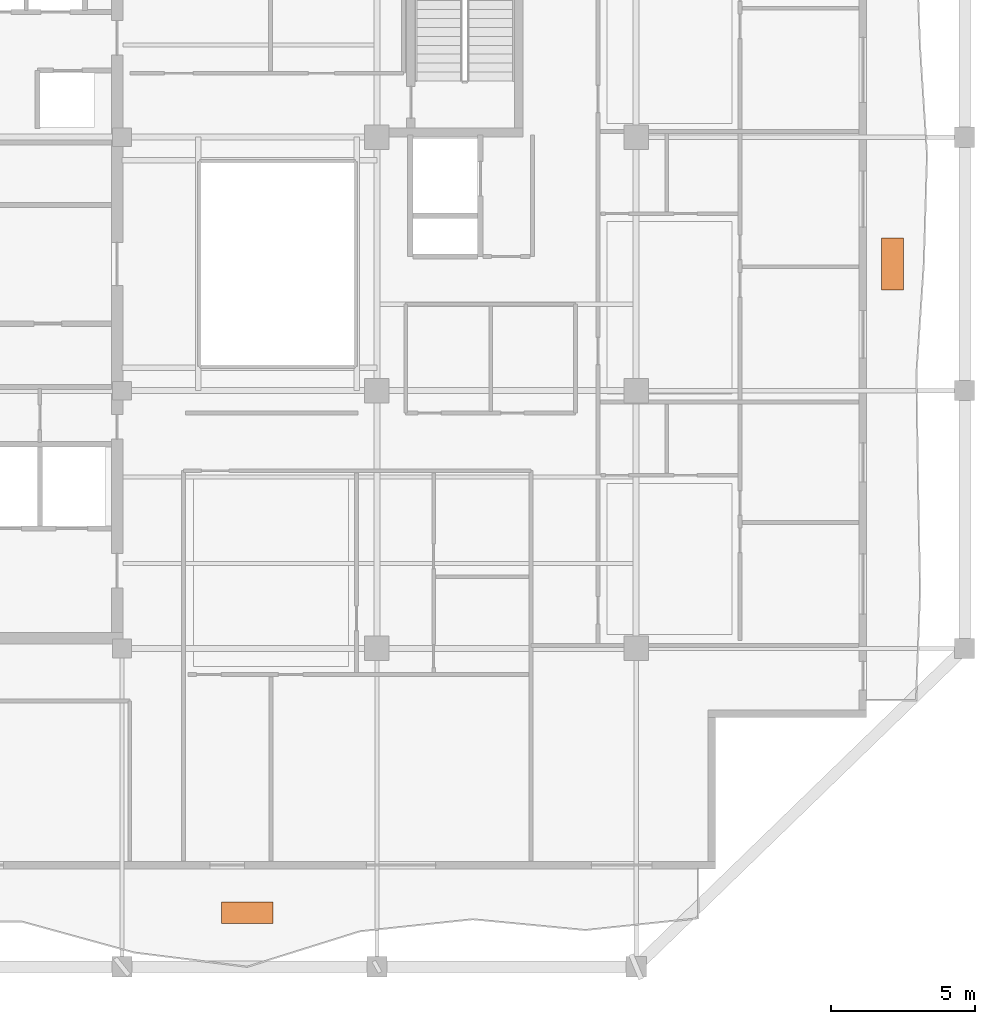
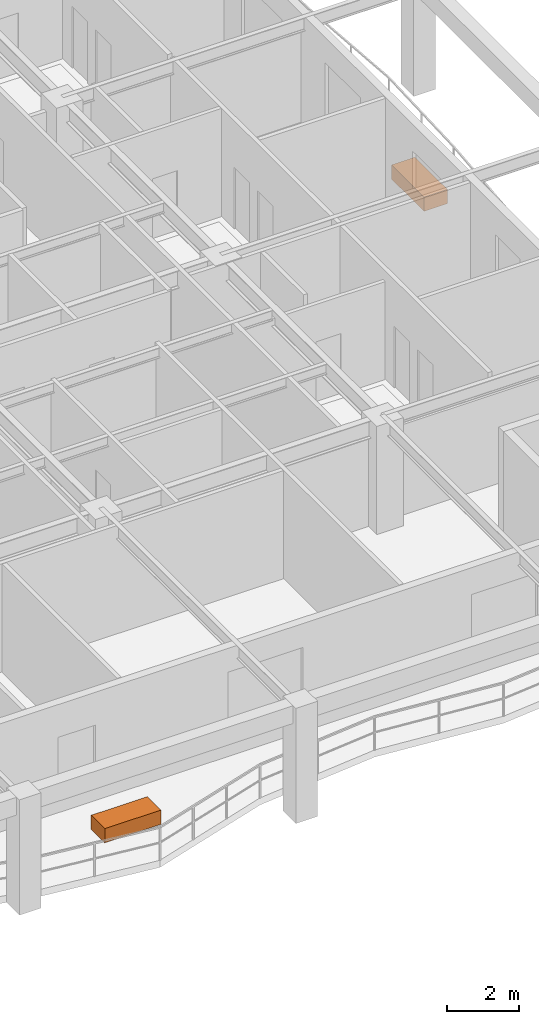
# One storey, part 13 of 13: 2 proxies.
"""IFC4 building model written with IfcOpenShell, lengths in metres."""

from ifc_helpers import new_model, si_unit, direction, frame, origin, origin_2d, place, context, subcontext, project, spatial, rectangle, extrude, material, type_object, element, save


model = new_model("IFC4")

# Units and contexts
model_context = context("Model", 3, precision=1e-05, world=origin(), true_north=direction((0.0, 1.0)))
body_context = subcontext(model_context, "Body", "Model", "MODEL_VIEW")
ifc_project = project(units=[si_unit("LENGTHUNIT", "METRE"), si_unit("AREAUNIT", "SQUARE_METRE"), si_unit("VOLUMEUNIT", "CUBIC_METRE"), si_unit("PLANEANGLEUNIT", "RADIAN"), si_unit("MASSUNIT", "GRAM", prefix="KILO")], contexts=[model_context])

# Site, building, storey
site_placement = place(None, origin())
site = spatial("IfcSite", under=ifc_project, at=site_placement, CompositionType="ELEMENT")
building_placement = place(site_placement, origin())
building = spatial("IfcBuilding", under=site, at=building_placement, Name="Kundavana Baori Tower", CompositionType="ELEMENT")
storey_placement = place(building_placement, frame((0.0, 0.0, 225.800048828125)))
storey = spatial("IfcBuildingStorey", under=building, at=storey_placement, Name="L55", CompositionType="ELEMENT", Elevation=225.800048828125)

# Proxies
ifc_material = material(Name="Red-Buff Dholpur Sandstone Cladding on Concrete C40/50", Category="masonry")
building_element_proxy_type = type_object("IfcBuildingElementProxyType", Name="PRX-PLANTER-1800", PredefinedType="USERDEFINED", material=ifc_material)
for number, where, z_axis, x_axis, name in (
    (1, (29.300048828125, 6.070068359375, 0.0), (0.0, 0.0, 1.0), (1.0, 0.0, 0.0), "L55 Dholpur Stone Structural Tree Planter S"),
    (2, (51.697021484375, 28.60009765625, 0.0), (0.0, 0.0, 1.0), (0.0, 1.0, 0.0), "L55 Dholpur Stone Structural Tree Planter E"),
):
    element("IfcBuildingElementProxy", number, at=place(storey_placement, frame(where, z_axis=z_axis, x_axis=x_axis)), inside=storey, type_object=building_element_proxy_type, Name=name, ObjectType="PLANTER", PredefinedType="USERDEFINED", context=body_context, shape_type="SweptSolid", body=[
        extrude(rectangle(XDim=1.800048828125, YDim=0.75, at=origin_2d()), origin(), (0.0, 0.0, 1.0), 0.47998046875),
    ])

save(model, "model.ifc")
